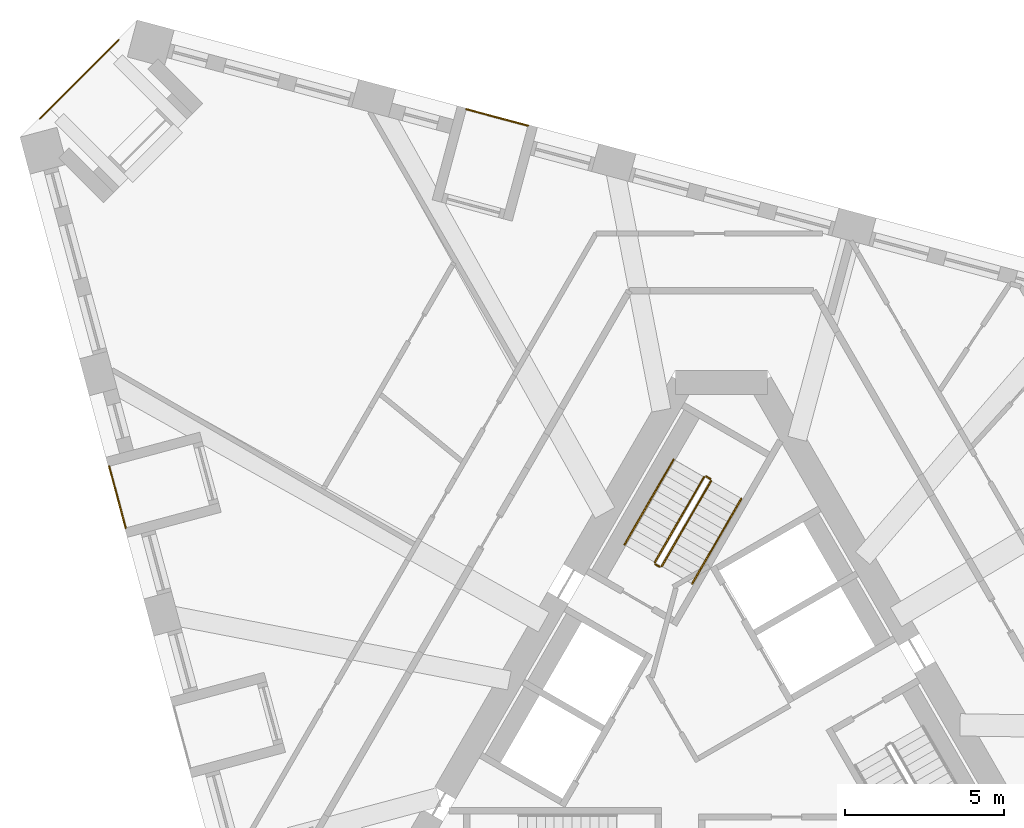
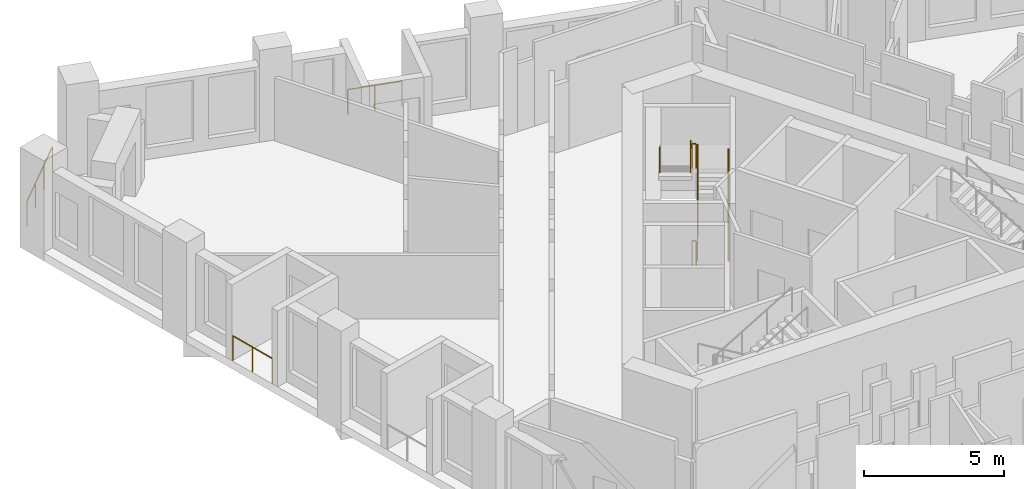
# One storey, part 12 of 13: 9 railings.
"""IFC4 building model written with IfcOpenShell, lengths in metres."""

import ifcopenshell
import ifcopenshell.guid

model = None  # the IFC model being written
_history = None  # IfcOwnerHistory: only IFC2X3 demands one
_inside = {}  # id of a spatial element -> (the spatial element, [elements in it])
_under = {}  # id of a project, library or spatial element -> (it, [spatial elements below it])
_declared = {}  # id of a project -> (the project, [libraries it declares])
_typed = {}  # id of a type object -> (the type object, [elements of that type])
_made_of = {}  # id of a material, layer set ... -> (it, [elements and type objects made of it])


def new_model(schema):
    """Start an empty IFC model of exactly this schema.

    Asked for "IFC4X3", IfcOpenShell would pick the latest addendum, in which some entities
    have other attributes; the version numbers below select the first issue.
    IFC2X3 requires an IfcOwnerHistory on every rooted entity: one is made here for all.
    """
    global model, _history
    if schema == "IFC4X3":
        model = ifcopenshell.file(schema_version=(4, 3, 0, 0))
    else:
        model = ifcopenshell.file(schema=schema)
    _inside.clear()
    _under.clear()
    _declared.clear()
    _typed.clear()
    _made_of.clear()
    _history = None
    if model.schema == "IFC2X3":
        org = make("IfcOrganization", Name="unknown")
        user = make(
            "IfcPersonAndOrganization",
            ThePerson=make("IfcPerson", FamilyName="unknown"),
            TheOrganization=org,
        )
        app = make(
            "IfcApplication",
            ApplicationDeveloper=org,
            Version="unknown",
            ApplicationFullName="unknown",
            ApplicationIdentifier="unknown",
        )
        _history = make(
            "IfcOwnerHistory",
            OwningUser=user,
            OwningApplication=app,
            ChangeAction="ADDED",
            CreationDate=0,
        )
    return model


def make(cls, **values):
    """One entity of the class cls with the attributes given. An attribute that is None is left unset."""
    return model.create_entity(
        cls, **{name: value for name, value in values.items() if value is not None}
    )


def rooted(cls, **values):
    """An entity with a GlobalId (a new one), such as an element, a storey or a relation."""
    return make(cls, GlobalId=ifcopenshell.guid.new(), OwnerHistory=_history, **values)


def si_unit(unit_type, name, prefix=None):
    """IfcSIUnit, for example si_unit("LENGTHUNIT", "METRE", prefix="MILLI")."""
    return make("IfcSIUnit", UnitType=unit_type, Prefix=prefix, Name=name)


def assignment(units):
    """IfcUnitAssignment: the units of a project."""
    return None if units is None else make("IfcUnitAssignment", Units=units)


def point(xyz):
    """IfcCartesianPoint."""
    return None if xyz is None else make("IfcCartesianPoint", Coordinates=xyz)


def direction(xyz):
    """IfcDirection."""
    return None if xyz is None else make("IfcDirection", DirectionRatios=xyz)


def frame(location, z_axis=None, x_axis=None):
    """IfcAxis2Placement3D, a coordinate frame: its origin and axes. An axis left out is left unset."""
    return make(
        "IfcAxis2Placement3D",
        Location=point(location),
        Axis=direction(z_axis),
        RefDirection=direction(x_axis),
    )


def frame_2d(location, x_axis=None):
    """IfcAxis2Placement2D, a coordinate frame in the plane: its origin and x axis."""
    return make(
        "IfcAxis2Placement2D", Location=point(location), RefDirection=direction(x_axis)
    )


def origin():
    """The frame at (0, 0, 0) with its axes left unset."""
    return frame((0.0, 0.0, 0.0))


def origin_2d():
    """The frame at (0, 0) in the plane with its x axis left unset."""
    return frame_2d((0.0, 0.0))


def place(relative_to, where):
    """IfcLocalPlacement: puts the frame where relative to a parent placement (None: the world)."""
    return make(
        "IfcLocalPlacement", PlacementRelTo=relative_to, RelativePlacement=where
    )


def context(
    kind, dimensions, precision=None, world=None, true_north=None, identifier=None
):
    """IfcGeometricRepresentationContext, for example the 3D "Model" context."""
    return make(
        "IfcGeometricRepresentationContext",
        ContextIdentifier=identifier,
        ContextType=kind,
        CoordinateSpaceDimension=dimensions,
        Precision=precision,
        WorldCoordinateSystem=world,
        TrueNorth=true_north,
    )


def subcontext(parent, identifier, kind, view, scale=None):
    """IfcGeometricRepresentationSubContext, for example "Body" below "Model"."""
    return make(
        "IfcGeometricRepresentationSubContext",
        ContextIdentifier=identifier,
        ContextType=kind,
        ParentContext=parent,
        TargetScale=scale,
        TargetView=view,
    )


def project(units=None, contexts=None):
    """IfcProject with its units and contexts."""
    return rooted(
        "IfcProject",
        Name="project",
        RepresentationContexts=contexts,
        UnitsInContext=assignment(units),
    )


def spatial(cls, under=None, at=None, **own):
    """A site, building, storey or space (cls), placed at a placement, below another one or the project."""
    s = rooted(cls, ObjectPlacement=at, **own)
    if under is not None:
        _under.setdefault(under.id(), (under, []))[1].append(s)
    return s


def profile(cls, at=None, kind="AREA", **sizes):
    """A parametric profile (cls). Its sizes go by their IFC names, for example OverallWidth=200.0."""
    return make(cls, ProfileType=kind, Position=at, **sizes)


def circle(**sizes):
    """IfcCircleProfileDef."""
    return profile("IfcCircleProfileDef", **sizes)


def extrude(swept, where, along, depth):
    """IfcExtrudedAreaSolid: the profile swept, set in the frame where, extruded along a direction by depth."""
    return make(
        "IfcExtrudedAreaSolid",
        SweptArea=swept,
        Position=where,
        ExtrudedDirection=direction(along),
        Depth=depth,
    )


def shape(context_of_items, identifier, shape_type, items):
    """IfcShapeRepresentation: the items that make up one representation, for example the "Body"."""
    return make(
        "IfcShapeRepresentation",
        ContextOfItems=context_of_items,
        RepresentationIdentifier=identifier,
        RepresentationType=shape_type,
        Items=items,
    )


def material(Name=None, Category=None):
    """IfcMaterial."""
    return make("IfcMaterial", Name=Name, Category=Category)


def made_of(thing, what):
    """Note that an element or type object is made of a material, layer set ...; save() writes the relation."""
    if what is not None:
        _made_of.setdefault(what.id(), (what, []))[1].append(thing)
    return thing


def type_object(cls, material=None, **own):
    """A type object (cls), such as IfcWallType, which elements share."""
    return made_of(rooted(cls, **own), material)


def element(
    cls,
    number,
    at=None,
    inside=None,
    cuts=None,
    type_object=None,
    material=None,
    context=None,
    identifier="Body",
    shape_type=None,
    held_by="IfcProductDefinitionShape",
    body=None,
    shapes=None,
    **own,
):
    """One element of the class cls, such as IfcWall. Its Tag is "e" and its number.

    at: its placement. inside: the storey or other place that contains it. cuts: it is an
    opening in that element (IfcRelVoidsElement). A single representation is given by context,
    identifier, shape_type and body (its items); several are given by shapes. held_by: the class
    of the entity that holds the representations. save() writes the other relations.
    """
    e = rooted(cls, Tag="e%d" % number, ObjectPlacement=at, **own)
    if body is not None:
        shapes = [shape(context, identifier, shape_type, body)]
    if shapes is not None:
        e.Representation = make(held_by, Representations=shapes)
    if inside is not None:
        _inside.setdefault(inside.id(), (inside, []))[1].append(e)
    if cuts is not None:
        rooted(
            "IfcRelVoidsElement", RelatingBuildingElement=cuts, RelatedOpeningElement=e
        )
    if type_object is not None:
        _typed.setdefault(type_object.id(), (type_object, []))[1].append(e)
    return made_of(e, material)


def aggregate(whole, parts):
    """IfcRelAggregates: a whole, such as a stair, and the parts it consists of."""
    return rooted("IfcRelAggregates", RelatingObject=whole, RelatedObjects=parts)


def save(model, path):
    """Write the relations noted so far, then the file.

    IfcRelAggregates (storeys below a building ...), IfcRelContainedInSpatialStructure (elements
    in a storey), IfcRelDefinesByType, IfcRelAssociatesMaterial and IfcRelDeclares: one each for
    every whole, place, type object, material and project.
    """
    for whole, parts in _under.values():
        aggregate(whole, parts)
    for where, things in _inside.values():
        rooted(
            "IfcRelContainedInSpatialStructure",
            RelatedElements=things,
            RelatingStructure=where,
        )
    for kind, things in _typed.values():
        rooted("IfcRelDefinesByType", RelatedObjects=things, RelatingType=kind)
    for what, things in _made_of.values():
        rooted("IfcRelAssociatesMaterial", RelatedObjects=things, RelatingMaterial=what)
    for by, libraries in _declared.values():
        rooted("IfcRelDeclares", RelatingContext=by, RelatedDefinitions=libraries)
    model.write(path)


model = new_model("IFC4")

# Units and contexts
model_context = context("Model", 3, precision=1e-05, world=origin(), true_north=direction((0.0, 1.0)))
body_context = subcontext(model_context, "Body", "Model", "MODEL_VIEW")
ifc_project = project(units=[si_unit("LENGTHUNIT", "METRE"), si_unit("AREAUNIT", "SQUARE_METRE"), si_unit("VOLUMEUNIT", "CUBIC_METRE"), si_unit("PLANEANGLEUNIT", "RADIAN"), si_unit("MASSUNIT", "GRAM", prefix="KILO")], contexts=[model_context])

# Site, building, storey
site_placement = place(None, origin())
site = spatial("IfcSite", under=ifc_project, at=site_placement, CompositionType="ELEMENT")
building_placement = place(site_placement, origin())
building = spatial("IfcBuilding", under=site, at=building_placement, Name="Tramontana Tower", CompositionType="ELEMENT")
storey_placement = place(building_placement, frame((0.0, 0.0, 200.0)))
storey = spatial("IfcBuildingStorey", under=building, at=storey_placement, Name="L46", CompositionType="ELEMENT", Elevation=200.0)

# Railings
ifc_material_1 = material(Name="Laminated glass balustrade", Category="glass")
railing_type_1 = type_object("IfcRailingType", Name="GD1 Loggia glass balustrade 1100", PredefinedType="BALUSTRADE", material=ifc_material_1)
railing_1_placement = place(storey_placement, frame((-19.193359375, 7.9951171875, 0.0)))
element("IfcRailing", 1, at=railing_1_placement, inside=storey, type_object=railing_type_1, Name="Loggia balustrade L46 G5S0.4", PredefinedType="BALUSTRADE", context=body_context, shape_type="SweptSolid", body=[
    extrude(circle(Radius=0.02392578125, at=origin_2d()), frame((0.0, 0.0, 1.076171875), z_axis=(0.258803270362, -0.96593005298, 0.0), x_axis=(0.96593005298, 0.258803270362, 0.0)), (0.0, 0.0, 1.0), 1.998046875),
    extrude(circle(Radius=0.02099609375, at=origin_2d()), origin(), (0.0, 0.0, 1.0), 1.052001953125),
    extrude(circle(Radius=0.02099609375, at=origin_2d()), frame((0.258544921875, -0.96484375, 0.0)), (0.0, 0.0, 1.0), 1.052001953125),
    extrude(circle(Radius=0.02099609375, at=origin_2d()), frame((0.51708984375, -1.929931640625, 0.0)), (0.0, 0.0, 1.0), 1.052001953125),
])
railing_2_placement = place(storey_placement, frame((-6.065185546875, 18.67626953125, 0.0)))
element("IfcRailing", 2, at=railing_2_placement, inside=storey, type_object=railing_type_1, Name="Loggia balustrade L46 G5S2.13", PredefinedType="BALUSTRADE", context=body_context, shape_type="SweptSolid", body=[
    extrude(circle(Radius=0.02392578125, at=origin_2d()), frame((0.0, 0.0, 1.076171875), z_axis=(-0.96593005298, 0.258803270362, 0.0), x_axis=(-0.258803270362, -0.96593005298, 0.0)), (0.0, 0.0, 1.0), 1.998046875),
    extrude(circle(Radius=0.02099609375, at=origin_2d()), origin(), (0.0, 0.0, 1.0), 1.052001953125),
    extrude(circle(Radius=0.02099609375, at=origin_2d()), frame((-0.96484375, 0.258544921875, 0.0)), (0.0, 0.0, 1.0), 1.052001953125),
    extrude(circle(Radius=0.02099609375, at=origin_2d()), frame((-1.929931640625, 0.51708984375, 0.0)), (0.0, 0.0, 1.0), 1.052001953125),
])
railing_3_placement = place(storey_placement, frame((-21.36865234375, 18.893798828125, 0.0)))
element("IfcRailing", 3, at=railing_3_placement, inside=storey, type_object=railing_type_1, Name="Corner loggia balustrade L46 K50", PredefinedType="BALUSTRADE", context=body_context, shape_type="SweptSolid", body=[
    extrude(circle(Radius=0.02392578125, at=origin_2d()), frame((0.0, 0.0, 1.076171875), z_axis=(0.707106781187, 0.707106781187, 0.0), x_axis=(-0.707106781187, 0.707106781187, 0.0)), (0.0, 0.0, 1.0), 3.5),
    extrude(circle(Radius=0.02099609375, at=origin_2d()), origin(), (0.0, 0.0, 1.0), 1.052001953125),
    extrude(circle(Radius=0.02099609375, at=origin_2d()), frame((0.824951171875, 0.824951171875, 0.0)), (0.0, 0.0, 1.0), 1.052001953125),
    extrude(circle(Radius=0.02099609375, at=origin_2d()), frame((1.64990234375, 1.64990234375, 0.0)), (0.0, 0.0, 1.0), 1.052001953125),
    extrude(circle(Radius=0.02099609375, at=origin_2d()), frame((2.474853515625, 2.474853515625, 0.0)), (0.0, 0.0, 1.0), 1.052001953125),
])
ifc_material_2 = material(Name="Painted steel", Category="steel")
railing_type_2 = type_object("IfcRailingType", Name="STAIR GUARD 1100", PredefinedType="GUARDRAIL", material=ifc_material_2)
railing_4_placement = place(storey_placement, frame((-1.867431640625, 4.865478515625, 0.166748046875)))
element("IfcRailing", 4, at=railing_4_placement, inside=storey, type_object=railing_type_2, Name="L46 ST1 stair guard 1", PredefinedType="GUARDRAIL", context=body_context, shape_type="SweptSolid", body=[
    extrude(circle(Radius=0.02392578125, at=origin_2d()), frame((0.0, 0.0, 1.076171875), z_axis=(0.429649414936, 0.744189839504, 0.511451721109), x_axis=(-0.866029832698, 0.499992328818, 0.0)), (0.0, 0.0, 1.0), 3.58447265625),
    extrude(circle(Radius=0.02099609375, at=origin_2d()), origin(), (0.0, 0.0, 1.0), 1.052001953125),
    extrude(circle(Radius=0.02099609375, at=origin_2d()), frame((0.513427734375, 0.88916015625, 0.611083984375)), (0.0, 0.0, 1.0), 1.052001953125),
    extrude(circle(Radius=0.02099609375, at=origin_2d()), frame((1.026611328125, 1.7783203125, 1.22216796875)), (0.0, 0.0, 1.0), 1.052001953125),
    extrude(circle(Radius=0.02099609375, at=origin_2d()), frame((1.5400390625, 2.66748046875, 1.833251953125)), (0.0, 0.0, 1.0), 1.052001953125),
])
railing_5_placement = place(storey_placement, frame((-0.5439453125, 7.657958984375, 2.166748046875)))
element("IfcRailing", 5, at=railing_5_placement, inside=storey, type_object=railing_type_2, Name="L46 ST1 stair guard 2", PredefinedType="GUARDRAIL", context=body_context, shape_type="SweptSolid", body=[
    extrude(circle(Radius=0.02392578125, at=origin_2d()), frame((0.0, 0.0, 1.076171875), z_axis=(-0.429649414936, -0.744189839504, 0.511451721109), x_axis=(0.866029832698, -0.499992328818, 0.0)), (0.0, 0.0, 1.0), 3.58447265625),
    extrude(circle(Radius=0.02099609375, at=origin_2d()), origin(), (0.0, 0.0, 1.0), 1.052001953125),
    extrude(circle(Radius=0.02099609375, at=origin_2d()), frame((-0.513427734375, -0.88916015625, 0.611083984375)), (0.0, 0.0, 1.0), 1.052001953125),
    extrude(circle(Radius=0.02099609375, at=origin_2d()), frame((-1.026611328125, -1.7783203125, 1.22216796875)), (0.0, 0.0, 1.0), 1.052001953125),
    extrude(circle(Radius=0.02099609375, at=origin_2d()), frame((-1.5400390625, -2.66748046875, 1.833251953125)), (0.0, 0.0, 1.0), 1.052001953125),
])
railing_6_placement = place(storey_placement, frame((-0.345703125, 7.601318359375, 2.0)))
element("IfcRailing", 6, at=railing_6_placement, inside=storey, type_object=railing_type_2, Name="L46 ST1 stair guard 3", PredefinedType="GUARDRAIL", context=body_context, shape_type="SweptSolid", body=[
    extrude(circle(Radius=0.02392578125, at=origin_2d()), frame((0.0, 0.0, 1.076171875), z_axis=(-0.866131372301, 0.499816412211, 0.0), x_axis=(-0.499816412211, -0.866131372301, 0.0)), (0.0, 0.0, 1.0), 0.14990234375),
    extrude(circle(Radius=0.02099609375, at=origin_2d()), origin(), (0.0, 0.0, 1.0), 1.052001953125),
    extrude(circle(Radius=0.02099609375, at=origin_2d()), frame((-0.1298828125, 0.074951171875, 0.0)), (0.0, 0.0, 1.0), 1.052001953125),
])
railing_7_placement = place(storey_placement, frame((-1.935791015625, 4.84716796875, 0.0)))
element("IfcRailing", 7, at=railing_7_placement, inside=storey, type_object=railing_type_2, Name="L46 ST1 stair guard 4", PredefinedType="GUARDRAIL", context=body_context, shape_type="SweptSolid", body=[
    extrude(circle(Radius=0.02392578125, at=origin_2d()), frame((0.0, 0.0, 1.076171875), z_axis=(-0.865426285481, 0.501036270542, 0.0), x_axis=(-0.501036270542, -0.865426285481, 0.0)), (0.0, 0.0, 1.0), 0.150146484375),
    extrude(circle(Radius=0.02099609375, at=origin_2d()), origin(), (0.0, 0.0, 1.0), 1.052001953125),
    extrude(circle(Radius=0.02099609375, at=origin_2d()), frame((-0.1298828125, 0.0751953125, 0.0)), (0.0, 0.0, 1.0), 1.052001953125),
])
ifc_material_3 = material(Name="Painted steel", Category="steel")
railing_type_3 = type_object("IfcRailingType", Name="STAIR HANDRAIL 900", PredefinedType="HANDRAIL", material=ifc_material_3)
railing_8_placement = place(storey_placement, frame((-0.914794921875, 4.315673828125, 0.166748046875)))
element("IfcRailing", 8, at=railing_8_placement, inside=storey, type_object=railing_type_3, Name="L46 ST1 stair handrail 1", PredefinedType="HANDRAIL", context=body_context, shape_type="SweptSolid", body=[
    extrude(circle(Radius=0.02392578125, at=origin_2d()), frame((0.0, 0.0, 0.8759765625), z_axis=(0.429671193721, 0.744159446956, 0.511477646425), x_axis=(-0.866010015463, 0.500026652407, 0.0)), (0.0, 0.0, 1.0), 3.584228515625),
    extrude(circle(Radius=0.02099609375, at=origin_2d()), origin(), (0.0, 0.0, 1.0), 0.851806640625),
    extrude(circle(Radius=0.02099609375, at=origin_2d()), frame((0.513427734375, 0.88916015625, 0.611083984375)), (0.0, 0.0, 1.0), 0.851806640625),
    extrude(circle(Radius=0.02099609375, at=origin_2d()), frame((1.026611328125, 1.778076171875, 1.22216796875)), (0.0, 0.0, 1.0), 0.851806640625),
    extrude(circle(Radius=0.02099609375, at=origin_2d()), frame((1.5400390625, 2.667236328125, 1.833251953125)), (0.0, 0.0, 1.0), 0.851806640625),
])
railing_9_placement = place(storey_placement, frame((-1.49658203125, 8.2080078125, 2.166748046875)))
element("IfcRailing", 9, at=railing_9_placement, inside=storey, type_object=railing_type_3, Name="L46 ST1 stair handrail 2", PredefinedType="HANDRAIL", context=body_context, shape_type="SweptSolid", body=[
    extrude(circle(Radius=0.02392578125, at=origin_2d()), frame((0.0, 0.0, 0.8759765625), z_axis=(-0.429649414936, -0.744189839504, 0.511451721109), x_axis=(0.866029832698, -0.499992328818, 0.0)), (0.0, 0.0, 1.0), 3.58447265625),
    extrude(circle(Radius=0.02099609375, at=origin_2d()), origin(), (0.0, 0.0, 1.0), 0.851806640625),
    extrude(circle(Radius=0.02099609375, at=origin_2d()), frame((-0.513427734375, -0.88916015625, 0.611083984375)), (0.0, 0.0, 1.0), 0.851806640625),
    extrude(circle(Radius=0.02099609375, at=origin_2d()), frame((-1.026611328125, -1.7783203125, 1.22216796875)), (0.0, 0.0, 1.0), 0.851806640625),
    extrude(circle(Radius=0.02099609375, at=origin_2d()), frame((-1.5400390625, -2.66748046875, 1.833251953125)), (0.0, 0.0, 1.0), 0.851806640625),
])

save(model, "model.ifc")
